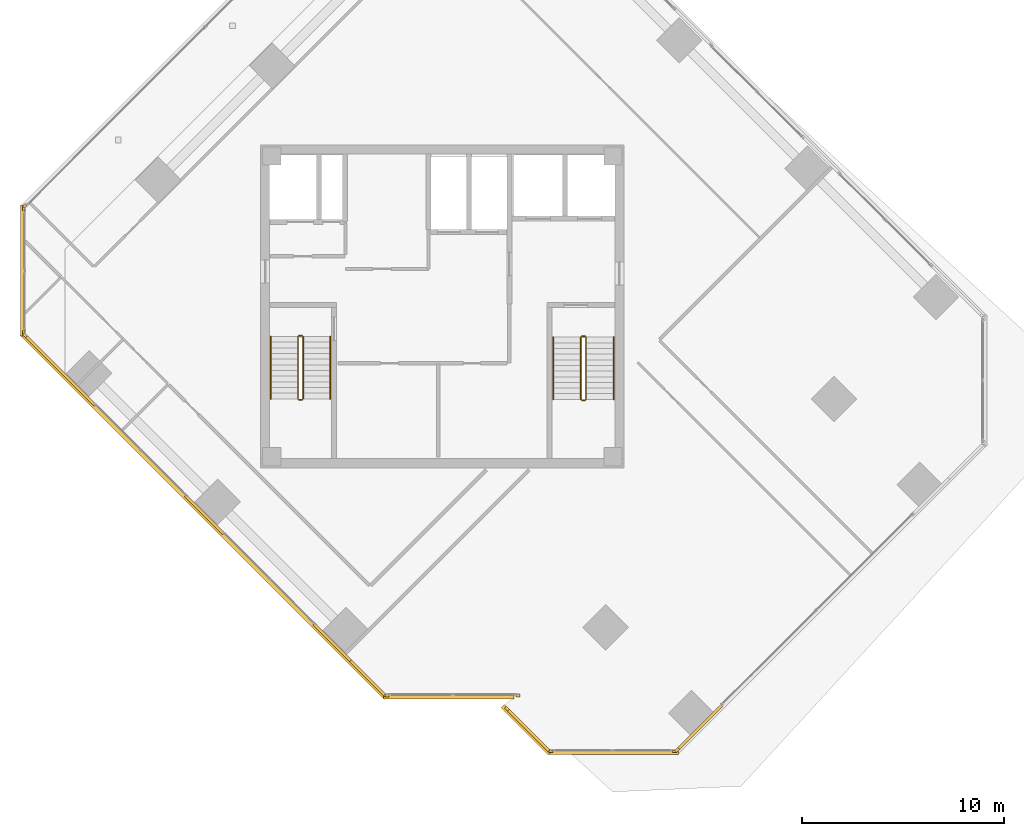
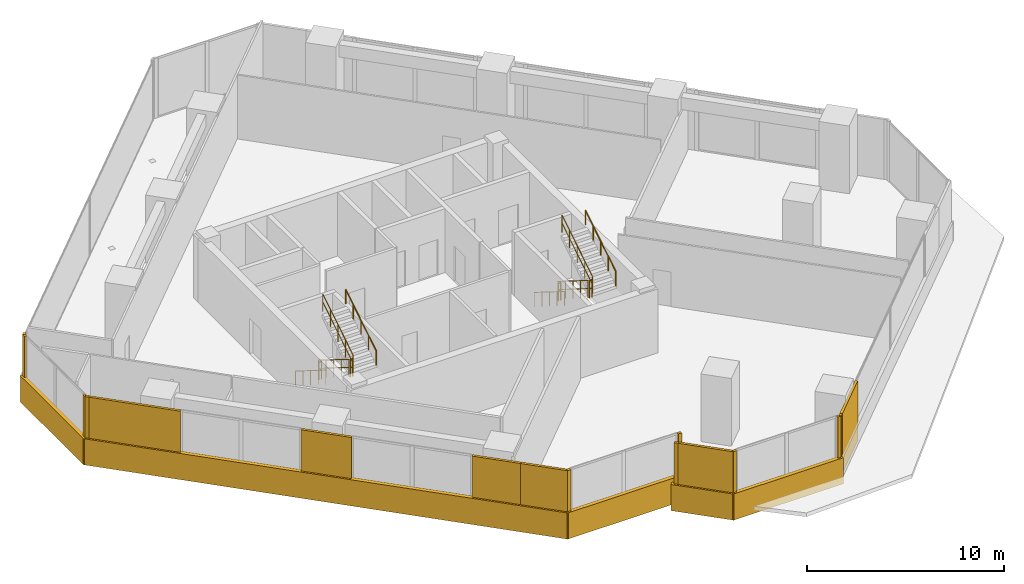
# One storey, part 15 of 17: 21 coverings, 12 railings.
"""IFC4 building model written with IfcOpenShell, lengths in metres."""

from ifc_helpers import new_model, si_unit, direction, frame, origin, origin_2d, place, context, subcontext, project, spatial, rectangle, circle, extrude, source, transform, mapped, material, layer, layer_set, type_object, element, save


model = new_model("IFC4")

# Units and contexts
model_context = context("Model", 3, precision=1e-05, world=origin(), true_north=direction((0.0, 1.0)))
body_context = subcontext(model_context, "Body", "Model", "MODEL_VIEW")
ifc_project = project(units=[si_unit("LENGTHUNIT", "METRE"), si_unit("AREAUNIT", "SQUARE_METRE"), si_unit("VOLUMEUNIT", "CUBIC_METRE"), si_unit("PLANEANGLEUNIT", "RADIAN"), si_unit("MASSUNIT", "GRAM", prefix="KILO")], contexts=[model_context])

# Site, building, storey
site_placement = place(None, origin())
site = spatial("IfcSite", under=ifc_project, at=site_placement, CompositionType="ELEMENT")
building_placement = place(site_placement, origin())
building = spatial("IfcBuilding", under=site, at=building_placement, Name="Torre Montelarca", CompositionType="ELEMENT")
storey_placement = place(building_placement, frame((0.0, 0.0, 241.60009765625)))
storey = spatial("IfcBuildingStorey", under=building, at=storey_placement, Name="L54", CompositionType="ELEMENT", Elevation=241.60009765625)

# Railings
ifc_material_1 = material(Name="Powder-coated steel ASTM A500 Grade C", Category="steel")
railing_type_1 = type_object("IfcRailingType", Name="RL-GUARD-1100", PredefinedType="BALUSTRADE", material=ifc_material_1)
railing_1_placement = place(storey_placement, frame((10.85009765625, 30.5, 0.1748046875)))
element("IfcRailing", 1, at=railing_1_placement, inside=storey, type_object=railing_type_1, Name="L54 ST1 stair guard 1", PredefinedType="BALUSTRADE", context=body_context, shape_type="SweptSolid", body=[
    extrude(circle(Radius=0.02392578125, at=origin_2d()), frame((0.0, 0.0, 1.076171875), z_axis=(0.0, -0.847998304005, 0.529998940003), x_axis=(1.0, 0.0, 0.0)), (0.0, 0.0, 1.0), 3.632080078125),
    extrude(circle(Radius=0.02099609375, at=origin_2d()), frame((0.0, 0.0, 0.572021484375), z_axis=(0.0, -0.847998304005, 0.529998940003), x_axis=(1.0, 0.0, 0.0)), (0.0, 0.0, 1.0), 3.632080078125),
    extrude(circle(Radius=0.02099609375, at=origin_2d()), origin(), (0.0, 0.0, 1.0), 1.052001953125),
    extrude(circle(Radius=0.02099609375, at=origin_2d()), frame((0.0, -0.77001953125, 0.481201171875)), (0.0, 0.0, 1.0), 1.052001953125),
    extrude(circle(Radius=0.02099609375, at=origin_2d()), frame((0.0, -1.5400390625, 0.96240234375)), (0.0, 0.0, 1.0), 1.052001953125),
    extrude(circle(Radius=0.02099609375, at=origin_2d()), frame((0.0, -2.31005859375, 1.44384765625)), (0.0, 0.0, 1.0), 1.052001953125),
    extrude(circle(Radius=0.02099609375, at=origin_2d()), frame((0.0, -3.080078125, 1.925048828125)), (0.0, 0.0, 1.0), 1.052001953125),
])
railing_2_placement = place(storey_placement, frame((10.89990234375, 27.3701171875, 2.099853515625)))
element("IfcRailing", 2, at=railing_2_placement, inside=storey, type_object=railing_type_1, Name="L54 ST1 stair guard 2", PredefinedType="BALUSTRADE", context=body_context, shape_type="SweptSolid", body=[
    extrude(circle(Radius=0.02392578125, at=origin_2d()), frame((0.0, 0.0, 1.076171875), z_axis=(1.0, 0.0, 0.0), x_axis=(0.0, 1.0, 0.0)), (0.0, 0.0, 1.0), 0.150146484375),
    extrude(circle(Radius=0.02099609375, at=origin_2d()), frame((0.0, 0.0, 0.572021484375), z_axis=(1.0, 0.0, 0.0), x_axis=(0.0, 1.0, 0.0)), (0.0, 0.0, 1.0), 0.150146484375),
    extrude(circle(Radius=0.02099609375, at=origin_2d()), origin(), (0.0, 0.0, 1.0), 1.052001953125),
    extrude(circle(Radius=0.02099609375, at=origin_2d()), frame((0.150146484375, 0.0, 0.0)), (0.0, 0.0, 1.0), 1.052001953125),
])
railing_3_placement = place(storey_placement, frame((11.10009765625, 27.419921875, 2.27490234375)))
element("IfcRailing", 3, at=railing_3_placement, inside=storey, type_object=railing_type_1, Name="L54 ST1 stair guard 3", PredefinedType="BALUSTRADE", context=body_context, shape_type="SweptSolid", body=[
    extrude(circle(Radius=0.02392578125, at=origin_2d()), frame((0.0, 0.0, 1.076171875), z_axis=(0.0, 0.847998304005, 0.529998940003), x_axis=(-1.0, 0.0, 0.0)), (0.0, 0.0, 1.0), 3.632080078125),
    extrude(circle(Radius=0.02099609375, at=origin_2d()), frame((0.0, 0.0, 0.572021484375), z_axis=(0.0, 0.847998304005, 0.529998940003), x_axis=(-1.0, 0.0, 0.0)), (0.0, 0.0, 1.0), 3.632080078125),
    extrude(circle(Radius=0.02099609375, at=origin_2d()), origin(), (0.0, 0.0, 1.0), 1.052001953125),
    extrude(circle(Radius=0.02099609375, at=origin_2d()), frame((0.0, 0.77001953125, 0.481201171875)), (0.0, 0.0, 1.0), 1.052001953125),
    extrude(circle(Radius=0.02099609375, at=origin_2d()), frame((0.0, 1.5400390625, 0.96240234375)), (0.0, 0.0, 1.0), 1.052001953125),
    extrude(circle(Radius=0.02099609375, at=origin_2d()), frame((0.0, 2.31005859375, 1.44384765625)), (0.0, 0.0, 1.0), 1.052001953125),
    extrude(circle(Radius=0.02099609375, at=origin_2d()), frame((0.0, 3.080078125, 1.925048828125)), (0.0, 0.0, 1.0), 1.052001953125),
])
railing_4_placement = place(storey_placement, frame((10.89990234375, 30.550048828125, 0.0)))
element("IfcRailing", 4, at=railing_4_placement, inside=storey, type_object=railing_type_1, Name="L54 ST1 stair guard 4", PredefinedType="BALUSTRADE", context=body_context, shape_type="SweptSolid", body=[
    extrude(circle(Radius=0.02392578125, at=origin_2d()), frame((0.0, 0.0, 1.076171875), z_axis=(1.0, 0.0, 0.0), x_axis=(0.0, 1.0, 0.0)), (0.0, 0.0, 1.0), 0.150146484375),
    extrude(circle(Radius=0.02099609375, at=origin_2d()), frame((0.0, 0.0, 0.572021484375), z_axis=(1.0, 0.0, 0.0), x_axis=(0.0, 1.0, 0.0)), (0.0, 0.0, 1.0), 0.150146484375),
    extrude(circle(Radius=0.02099609375, at=origin_2d()), origin(), (0.0, 0.0, 1.0), 1.052001953125),
    extrude(circle(Radius=0.02099609375, at=origin_2d()), frame((0.150146484375, 0.0, 0.0)), (0.0, 0.0, 1.0), 1.052001953125),
])
railing_5_placement = place(storey_placement, frame((24.8701171875, 30.469970703125, 0.1748046875)))
element("IfcRailing", 5, at=railing_5_placement, inside=storey, type_object=railing_type_1, Name="L54 ST2 stair guard 1", PredefinedType="BALUSTRADE", context=body_context, shape_type="SweptSolid", body=[
    extrude(circle(Radius=0.02392578125, at=origin_2d()), frame((0.0, 0.0, 1.076171875), z_axis=(0.0, -0.847998304005, 0.529998940003), x_axis=(1.0, 0.0, 0.0)), (0.0, 0.0, 1.0), 3.632080078125),
    extrude(circle(Radius=0.02099609375, at=origin_2d()), frame((0.0, 0.0, 0.572021484375), z_axis=(0.0, -0.847998304005, 0.529998940003), x_axis=(1.0, 0.0, 0.0)), (0.0, 0.0, 1.0), 3.632080078125),
    extrude(circle(Radius=0.02099609375, at=origin_2d()), origin(), (0.0, 0.0, 1.0), 1.052001953125),
    extrude(circle(Radius=0.02099609375, at=origin_2d()), frame((0.0, -0.77001953125, 0.481201171875)), (0.0, 0.0, 1.0), 1.052001953125),
    extrude(circle(Radius=0.02099609375, at=origin_2d()), frame((0.0, -1.5400390625, 0.96240234375)), (0.0, 0.0, 1.0), 1.052001953125),
    extrude(circle(Radius=0.02099609375, at=origin_2d()), frame((0.0, -2.31005859375, 1.44384765625)), (0.0, 0.0, 1.0), 1.052001953125),
    extrude(circle(Radius=0.02099609375, at=origin_2d()), frame((0.0, -3.080078125, 1.925048828125)), (0.0, 0.0, 1.0), 1.052001953125),
])
railing_6_placement = place(storey_placement, frame((24.919921875, 27.340087890625, 2.099853515625)))
element("IfcRailing", 6, at=railing_6_placement, inside=storey, type_object=railing_type_1, Name="L54 ST2 stair guard 2", PredefinedType="BALUSTRADE", context=body_context, shape_type="SweptSolid", body=[
    extrude(circle(Radius=0.02392578125, at=origin_2d()), frame((0.0, 0.0, 1.076171875), z_axis=(1.0, 0.0, 0.0), x_axis=(0.0, 1.0, 0.0)), (0.0, 0.0, 1.0), 0.150146484375),
    extrude(circle(Radius=0.02099609375, at=origin_2d()), frame((0.0, 0.0, 0.572021484375), z_axis=(1.0, 0.0, 0.0), x_axis=(0.0, 1.0, 0.0)), (0.0, 0.0, 1.0), 0.150146484375),
    extrude(circle(Radius=0.02099609375, at=origin_2d()), origin(), (0.0, 0.0, 1.0), 1.052001953125),
    extrude(circle(Radius=0.02099609375, at=origin_2d()), frame((0.150146484375, 0.0, 0.0)), (0.0, 0.0, 1.0), 1.052001953125),
])
railing_7_placement = place(storey_placement, frame((25.1201171875, 27.389892578125, 2.27490234375)))
element("IfcRailing", 7, at=railing_7_placement, inside=storey, type_object=railing_type_1, Name="L54 ST2 stair guard 3", PredefinedType="BALUSTRADE", context=body_context, shape_type="SweptSolid", body=[
    extrude(circle(Radius=0.02392578125, at=origin_2d()), frame((0.0, 0.0, 1.076171875), z_axis=(0.0, 0.847998304005, 0.529998940003), x_axis=(-1.0, 0.0, 0.0)), (0.0, 0.0, 1.0), 3.632080078125),
    extrude(circle(Radius=0.02099609375, at=origin_2d()), frame((0.0, 0.0, 0.572021484375), z_axis=(0.0, 0.847998304005, 0.529998940003), x_axis=(-1.0, 0.0, 0.0)), (0.0, 0.0, 1.0), 3.632080078125),
    extrude(circle(Radius=0.02099609375, at=origin_2d()), origin(), (0.0, 0.0, 1.0), 1.052001953125),
    extrude(circle(Radius=0.02099609375, at=origin_2d()), frame((0.0, 0.77001953125, 0.481201171875)), (0.0, 0.0, 1.0), 1.052001953125),
    extrude(circle(Radius=0.02099609375, at=origin_2d()), frame((0.0, 1.5400390625, 0.96240234375)), (0.0, 0.0, 1.0), 1.052001953125),
    extrude(circle(Radius=0.02099609375, at=origin_2d()), frame((0.0, 2.31005859375, 1.44384765625)), (0.0, 0.0, 1.0), 1.052001953125),
    extrude(circle(Radius=0.02099609375, at=origin_2d()), frame((0.0, 3.080078125, 1.925048828125)), (0.0, 0.0, 1.0), 1.052001953125),
])
railing_8_placement = place(storey_placement, frame((24.919921875, 30.52001953125, 0.0)))
element("IfcRailing", 8, at=railing_8_placement, inside=storey, type_object=railing_type_1, Name="L54 ST2 stair guard 4", PredefinedType="BALUSTRADE", context=body_context, shape_type="SweptSolid", body=[
    extrude(circle(Radius=0.02392578125, at=origin_2d()), frame((0.0, 0.0, 1.076171875), z_axis=(1.0, 0.0, 0.0), x_axis=(0.0, 1.0, 0.0)), (0.0, 0.0, 1.0), 0.150146484375),
    extrude(circle(Radius=0.02099609375, at=origin_2d()), frame((0.0, 0.0, 0.572021484375), z_axis=(1.0, 0.0, 0.0), x_axis=(0.0, 1.0, 0.0)), (0.0, 0.0, 1.0), 0.150146484375),
    extrude(circle(Radius=0.02099609375, at=origin_2d()), origin(), (0.0, 0.0, 1.0), 1.052001953125),
    extrude(circle(Radius=0.02099609375, at=origin_2d()), frame((0.150146484375, 0.0, 0.0)), (0.0, 0.0, 1.0), 1.052001953125),
])
ifc_material_2 = material(Name="Brushed stainless steel AISI 316", Category="steel")
railing_type_2 = type_object("IfcRailingType", Name="RL-HANDRAIL-900", PredefinedType="HANDRAIL", material=ifc_material_2)
railing_9_placement = place(storey_placement, frame((9.5, 30.5, 0.1748046875)))
element("IfcRailing", 9, at=railing_9_placement, inside=storey, type_object=railing_type_2, Name="L54 ST1 stair handrail 1", PredefinedType="HANDRAIL", context=body_context, shape_type="SweptSolid", body=[
    extrude(circle(Radius=0.02392578125, at=origin_2d()), frame((0.0, 0.0, 0.8759765625), z_axis=(0.0, -0.847998304005, 0.529998940003), x_axis=(1.0, 0.0, 0.0)), (0.0, 0.0, 1.0), 3.632080078125),
    extrude(circle(Radius=0.02099609375, at=origin_2d()), origin(), (0.0, 0.0, 1.0), 0.851806640625),
    extrude(circle(Radius=0.02099609375, at=origin_2d()), frame((0.0, -0.77001953125, 0.481201171875)), (0.0, 0.0, 1.0), 0.851806640625),
    extrude(circle(Radius=0.02099609375, at=origin_2d()), frame((0.0, -1.5400390625, 0.96240234375)), (0.0, 0.0, 1.0), 0.851806640625),
    extrude(circle(Radius=0.02099609375, at=origin_2d()), frame((0.0, -2.31005859375, 1.44384765625)), (0.0, 0.0, 1.0), 0.851806640625),
    extrude(circle(Radius=0.02099609375, at=origin_2d()), frame((0.0, -3.080078125, 1.925048828125)), (0.0, 0.0, 1.0), 0.851806640625),
])
railing_10_placement = place(storey_placement, frame((12.449951171875, 27.419921875, 2.27490234375)))
element("IfcRailing", 10, at=railing_10_placement, inside=storey, type_object=railing_type_2, Name="L54 ST1 stair handrail 2", PredefinedType="HANDRAIL", context=body_context, shape_type="SweptSolid", body=[
    extrude(circle(Radius=0.02392578125, at=origin_2d()), frame((0.0, 0.0, 0.8759765625), z_axis=(0.0, 0.847998304005, 0.529998940003), x_axis=(-1.0, 0.0, 0.0)), (0.0, 0.0, 1.0), 3.632080078125),
    extrude(circle(Radius=0.02099609375, at=origin_2d()), origin(), (0.0, 0.0, 1.0), 0.851806640625),
    extrude(circle(Radius=0.02099609375, at=origin_2d()), frame((0.0, 0.77001953125, 0.481201171875)), (0.0, 0.0, 1.0), 0.851806640625),
    extrude(circle(Radius=0.02099609375, at=origin_2d()), frame((0.0, 1.5400390625, 0.96240234375)), (0.0, 0.0, 1.0), 0.851806640625),
    extrude(circle(Radius=0.02099609375, at=origin_2d()), frame((0.0, 2.31005859375, 1.44384765625)), (0.0, 0.0, 1.0), 0.851806640625),
    extrude(circle(Radius=0.02099609375, at=origin_2d()), frame((0.0, 3.080078125, 1.925048828125)), (0.0, 0.0, 1.0), 0.851806640625),
])
railing_11_placement = place(storey_placement, frame((23.489990234375, 30.469970703125, 0.1748046875)))
element("IfcRailing", 11, at=railing_11_placement, inside=storey, type_object=railing_type_2, Name="L54 ST2 stair handrail 1", PredefinedType="HANDRAIL", context=body_context, shape_type="SweptSolid", body=[
    extrude(circle(Radius=0.02392578125, at=origin_2d()), frame((0.0, 0.0, 0.8759765625), z_axis=(0.0, -0.847998304005, 0.529998940003), x_axis=(1.0, 0.0, 0.0)), (0.0, 0.0, 1.0), 3.632080078125),
    extrude(circle(Radius=0.02099609375, at=origin_2d()), origin(), (0.0, 0.0, 1.0), 0.851806640625),
    extrude(circle(Radius=0.02099609375, at=origin_2d()), frame((0.0, -0.77001953125, 0.481201171875)), (0.0, 0.0, 1.0), 0.851806640625),
    extrude(circle(Radius=0.02099609375, at=origin_2d()), frame((0.0, -1.5400390625, 0.96240234375)), (0.0, 0.0, 1.0), 0.851806640625),
    extrude(circle(Radius=0.02099609375, at=origin_2d()), frame((0.0, -2.31005859375, 1.44384765625)), (0.0, 0.0, 1.0), 0.851806640625),
    extrude(circle(Radius=0.02099609375, at=origin_2d()), frame((0.0, -3.080078125, 1.925048828125)), (0.0, 0.0, 1.0), 0.851806640625),
])
railing_12_placement = place(storey_placement, frame((26.5, 27.389892578125, 2.27490234375)))
element("IfcRailing", 12, at=railing_12_placement, inside=storey, type_object=railing_type_2, Name="L54 ST2 stair handrail 2", PredefinedType="HANDRAIL", context=body_context, shape_type="SweptSolid", body=[
    extrude(circle(Radius=0.02392578125, at=origin_2d()), frame((0.0, 0.0, 0.8759765625), z_axis=(0.0, 0.847998304005, 0.529998940003), x_axis=(-1.0, 0.0, 0.0)), (0.0, 0.0, 1.0), 3.632080078125),
    extrude(circle(Radius=0.02099609375, at=origin_2d()), origin(), (0.0, 0.0, 1.0), 0.851806640625),
    extrude(circle(Radius=0.02099609375, at=origin_2d()), frame((0.0, 0.77001953125, 0.481201171875)), (0.0, 0.0, 1.0), 0.851806640625),
    extrude(circle(Radius=0.02099609375, at=origin_2d()), frame((0.0, 1.5400390625, 0.96240234375)), (0.0, 0.0, 1.0), 0.851806640625),
    extrude(circle(Radius=0.02099609375, at=origin_2d()), frame((0.0, 2.31005859375, 1.44384765625)), (0.0, 0.0, 1.0), 0.851806640625),
    extrude(circle(Radius=0.02099609375, at=origin_2d()), frame((0.0, 3.080078125, 1.925048828125)), (0.0, 0.0, 1.0), 0.851806640625),
])

# Coverings
ifc_material_3 = material(Name="Bush-hammered warm white precast concrete C45/55", Category="concrete")
ifc_layer = layer(ifc_material_3, 0.139892578125, Name="Bush-hammered warm white precast concrete C45/55", Category="concrete")
ifc_layer_set = layer_set([ifc_layer], Name="Bush-hammered warm white precast concrete C45/55")
covering_type = type_object("IfcCoveringType", Name="COV-TRAY-CLAD", PredefinedType="CLADDING", material=ifc_layer_set)
shared_shape_1 = source(origin(), body_context, "Body", "SweptSolid", [
    extrude(rectangle(XDim=6.48388671875, YDim=0.219970703125, at=origin_2d()), origin(), (0.0, 0.0, 1.0), 1.6201171875),
])
for number, where, z_axis, x_axis, name in (
    (13, (18.318115234375, 12.6552734375, -0.4501953125), (0.0, 0.0, 1.0), (1.0, 0.0, 0.0), "L54 Architectural White Spandrel Tray Band TRYBOT-02"),
    (14, (26.44970703125, 9.897705078125, -0.4501953125), (0.0, 0.0, 1.0), (1.0, 0.0, 0.0), "L54 Architectural White Spandrel Tray Band TRYBOT-05"),
    (15, (-2.79443359375, 33.767578125, -0.4501953125), (0.0, 0.0, 1.0), (0.0, -1.0, 0.0), "L54 Architectural White Spandrel Tray Band TRYBOT-11"),
):
    element("IfcCovering", number, at=place(storey_placement, frame(where, z_axis=z_axis, x_axis=x_axis)), inside=storey, type_object=covering_type, Name=name, PredefinedType="CLADDING", context=body_context, shape_type="MappedRepresentation", body=[
        mapped(shared_shape_1, transform((0.0, 0.0, 0.0), scale=1.0)),
    ])
shared_shape_2 = source(origin(), body_context, "Body", "SweptSolid", [
    extrude(rectangle(XDim=25.52001953125, YDim=0.219970703125, at=origin_2d()), origin(), (0.0, 0.0, 1.0), 1.6201171875),
])
covering_1_placement = place(storey_placement, frame((6.177001953125, 21.626708984375, -0.4501953125), z_axis=(0.0, 0.0, 1.0), x_axis=(0.707106781187, -0.707106781187, 0.0)))
element("IfcCovering", 16, at=covering_1_placement, inside=storey, type_object=covering_type, Name="L54 Architectural White Spandrel Tray Band TRYBOT-01", PredefinedType="CLADDING", context=body_context, shape_type="MappedRepresentation", body=[
    mapped(shared_shape_2, transform((0.0, 0.0, 0.0), scale=1.0)),
])
shared_shape_3 = source(origin(), body_context, "Body", "SweptSolid", [
    extrude(rectangle(XDim=0.199951171875, YDim=0.139892578125, at=origin_2d()), origin(), (0.0, 0.0, 1.0), 3.719970703125),
])
for number, where, z_axis, x_axis, name in (
    (17, (-2.678955078125, 30.5673828125, 0.0), (0.0, 0.0, 1.0), (0.707106781187, -0.707106781187, 0.0), "L54 Architectural Column Pier Cladding E01-1"),
    (18, (15.251708984375, 12.71533203125, 0.0), (0.0, 0.0, 1.0), (1.0, 0.0, 0.0), "L54 Architectural Column Pier Cladding E02-1"),
    (19, (21.751708984375, 12.71533203125, 0.0), (0.0, 0.0, 1.0), (1.0, 0.0, 0.0), "L54 Architectural Column Pier Cladding E02-2"),
    (20, (21.204345703125, 12.05810546875, 0.0), (0.0, 0.0, 1.0), (0.707124058854, -0.707089503097, 0.0), "L54 Architectural Column Pier Cladding E04-1"),
    (21, (23.383544921875, 9.95751953125, 0.0), (0.0, 0.0, 1.0), (1.0, 0.0, 0.0), "L54 Architectural Column Pier Cladding E05-1"),
    (22, (29.515869140625, 9.95751953125, 0.0), (0.0, 0.0, 1.0), (1.0, 0.0, 0.0), "L54 Architectural Column Pier Cladding E05-2"),
    (23, (29.64990234375, 10.01318359375, 0.0), (0.0, 0.0, 1.0), (0.707106781187, 0.707106781187, 0.0), "L54 Architectural Column Pier Cladding E06-1"),
    (24, (-2.678955078125, 36.968017578125, 0.0), (0.0, 0.0, 1.0), (-0.707104312914, -0.707109249451, 0.0), "L54 Architectural Column Pier Cladding E10-2"),
    (25, (-2.734619140625, 36.833984375, 0.0), (0.0, 0.0, 1.0), (0.0, -1.0, 0.0), "L54 Architectural Column Pier Cladding E11-1"),
    (26, (-2.734619140625, 30.70166015625, 0.0), (0.0, 0.0, 1.0), (0.0, -1.0, 0.0), "L54 Architectural Column Pier Cladding E11-2"),
):
    element("IfcCovering", number, at=place(storey_placement, frame(where, z_axis=z_axis, x_axis=x_axis)), inside=storey, type_object=covering_type, Name=name, PredefinedType="CLADDING", context=body_context, shape_type="MappedRepresentation", body=[
        mapped(shared_shape_3, transform((0.0, 0.0, 0.0), scale=1.0)),
    ])
shared_shape_4 = source(origin(), body_context, "Body", "SweptSolid", [
    extrude(rectangle(XDim=3.320068359375, YDim=0.219970703125, at=origin_2d()), origin(), (0.0, 0.0, 1.0), 1.6201171875),
])
covering_2_placement = place(storey_placement, frame((22.15771484375, 11.020263671875, -0.4501953125), z_axis=(0.0, 0.0, 1.0), x_axis=(0.707122824748, -0.707090737261, 0.0)))
element("IfcCovering", 27, at=covering_2_placement, inside=storey, type_object=covering_type, Name="L54 Architectural White Spandrel Tray Band TRYBOT-04", PredefinedType="CLADDING", context=body_context, shape_type="MappedRepresentation", body=[
    mapped(shared_shape_4, transform((0.0, 0.0, 0.0), scale=1.0)),
])
shared_shape_5 = source(origin(), body_context, "Body", "SweptSolid", [
    extrude(rectangle(XDim=2.9921875, YDim=0.139892578125, at=origin_2d()), origin(), (0.0, 0.0, 1.0), 3.719970703125),
])
covering_3_placement = place(storey_placement, frame((22.26220703125, 11.000244140625, 0.0), z_axis=(0.0, 0.0, 1.0), x_axis=(0.707124058854, -0.707089503097, 0.0)))
element("IfcCovering", 28, at=covering_3_placement, inside=storey, type_object=covering_type, Name="L54 Architectural Column Pier Cladding E04-2", PredefinedType="CLADDING", context=body_context, shape_type="MappedRepresentation", body=[
    mapped(shared_shape_5, transform((0.0, 0.0, 0.0), scale=1.0)),
])
shared_shape_6 = source(origin(), body_context, "Body", "SweptSolid", [
    extrude(rectangle(XDim=2.659912109375, YDim=0.139892578125, at=origin_2d()), origin(), (0.0, 0.0, 1.0), 3.719970703125),
])
for number, where, z_axis, x_axis, name in (
    (29, (6.219482421875, 21.669189453125, 0.0), (0.0, 0.0, 1.0), (0.707106781187, -0.707106781187, 0.0), "L54 Architectural Column Pier Cladding E01-3"),
    (30, (12.58349609375, 15.30517578125, 0.0), (0.0, 0.0, 1.0), (0.707106781187, -0.707106781187, 0.0), "L54 Architectural Column Pier Cladding E01-4"),
):
    element("IfcCovering", number, at=place(storey_placement, frame(where, z_axis=z_axis, x_axis=x_axis)), inside=storey, type_object=covering_type, Name=name, PredefinedType="CLADDING", context=body_context, shape_type="MappedRepresentation", body=[
        mapped(shared_shape_6, transform((0.0, 0.0, 0.0), scale=1.0)),
    ])
shared_shape_7 = source(origin(), body_context, "Body", "SweptSolid", [
    extrude(rectangle(XDim=2.4541015625, YDim=0.139892578125, at=origin_2d()), origin(), (0.0, 0.0, 1.0), 3.719970703125),
])
covering_4_placement = place(storey_placement, frame((14.32080078125, 13.56787109375, 0.0), z_axis=(0.0, 0.0, 1.0), x_axis=(0.707106781187, -0.707106781187, 0.0)))
element("IfcCovering", 31, at=covering_4_placement, inside=storey, type_object=covering_type, Name="L54 Architectural Column Pier Cladding E01-5", PredefinedType="CLADDING", context=body_context, shape_type="MappedRepresentation", body=[
    mapped(shared_shape_7, transform((0.0, 0.0, 0.0), scale=1.0)),
])
shared_shape_8 = source(origin(), body_context, "Body", "SweptSolid", [
    extrude(rectangle(XDim=4.9140625, YDim=0.139892578125, at=origin_2d()), origin(), (0.0, 0.0, 1.0), 3.719970703125),
])
covering_5_placement = place(storey_placement, frame((-0.94140625, 28.830078125, 0.0), z_axis=(0.0, 0.0, 1.0), x_axis=(0.707106781187, -0.707106781187, 0.0)))
element("IfcCovering", 32, at=covering_5_placement, inside=storey, type_object=covering_type, Name="L54 Architectural Column Pier Cladding E01-2", PredefinedType="CLADDING", context=body_context, shape_type="MappedRepresentation", body=[
    mapped(shared_shape_8, transform((0.0, 0.0, 0.0), scale=1.0)),
])
shared_shape_9 = source(origin(), body_context, "Body", "SweptSolid", [
    extrude(rectangle(XDim=3.114013671875, YDim=0.139892578125, at=origin_2d()), origin(), (0.0, 0.0, 1.0), 3.719970703125),
])
covering_6_placement = place(storey_placement, frame((30.7509765625, 11.1142578125, 0.0), z_axis=(0.0, 0.0, 1.0), x_axis=(0.707106781187, 0.707106781187, 0.0)))
element("IfcCovering", 33, at=covering_6_placement, inside=storey, type_object=covering_type, Name="L54 Architectural Column Pier Cladding E06-2", PredefinedType="CLADDING", context=body_context, shape_type="MappedRepresentation", body=[
    mapped(shared_shape_9, transform((0.0, 0.0, 0.0), scale=1.0)),
])

save(model, "model.ifc")
